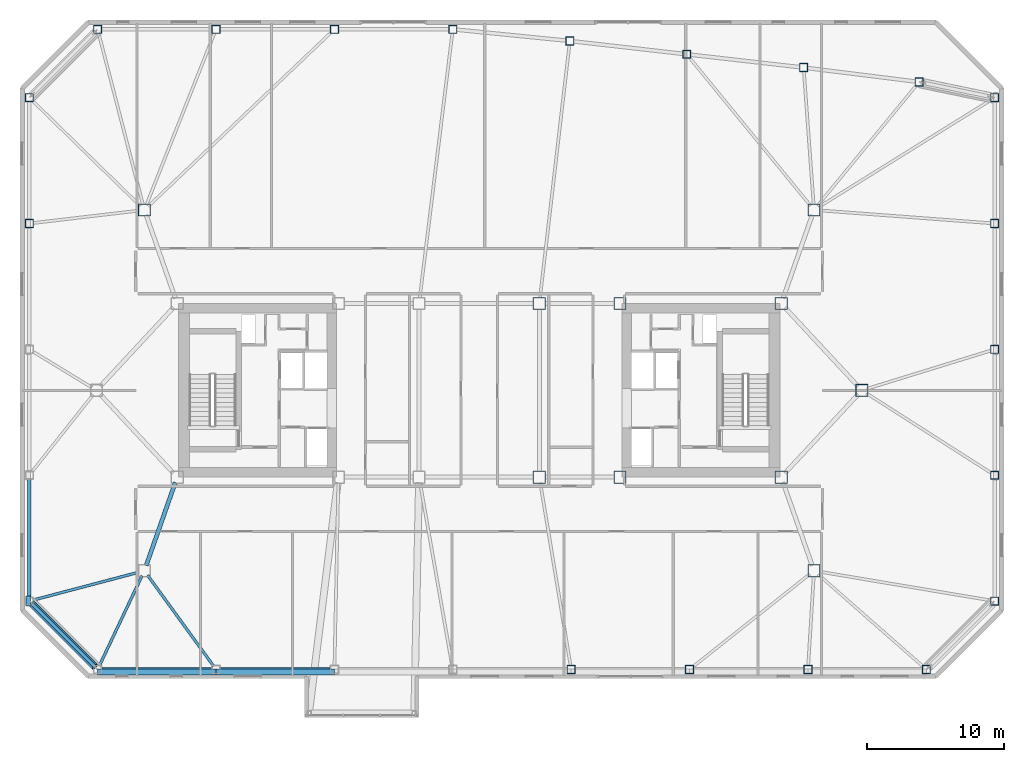
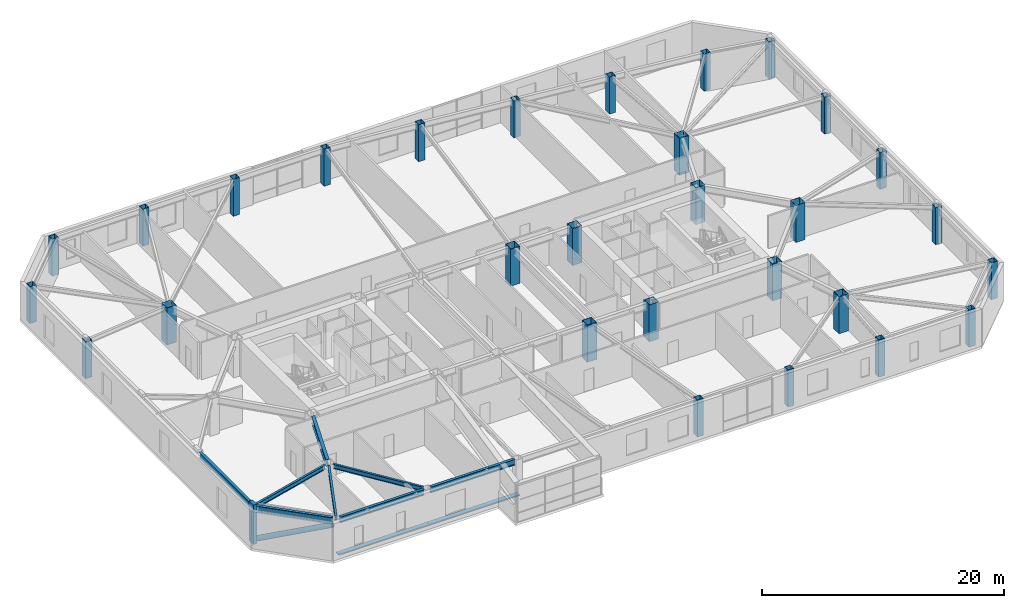
# One storey, part 2 of 19: 29 columns, 8 beams, 4 members.
"""IFC4 building model written with IfcOpenShell, lengths in metres."""

import ifcopenshell
import ifcopenshell.guid

model = None  # the IFC model being written
_history = None  # IfcOwnerHistory: only IFC2X3 demands one
_inside = {}  # id of a spatial element -> (the spatial element, [elements in it])
_under = {}  # id of a project, library or spatial element -> (it, [spatial elements below it])
_declared = {}  # id of a project -> (the project, [libraries it declares])
_typed = {}  # id of a type object -> (the type object, [elements of that type])
_made_of = {}  # id of a material, layer set ... -> (it, [elements and type objects made of it])


def new_model(schema):
    """Start an empty IFC model of exactly this schema.

    Asked for "IFC4X3", IfcOpenShell would pick the latest addendum, in which some entities
    have other attributes; the version numbers below select the first issue.
    IFC2X3 requires an IfcOwnerHistory on every rooted entity: one is made here for all.
    """
    global model, _history
    if schema == "IFC4X3":
        model = ifcopenshell.file(schema_version=(4, 3, 0, 0))
    else:
        model = ifcopenshell.file(schema=schema)
    _inside.clear()
    _under.clear()
    _declared.clear()
    _typed.clear()
    _made_of.clear()
    _history = None
    if model.schema == "IFC2X3":
        org = make("IfcOrganization", Name="unknown")
        user = make(
            "IfcPersonAndOrganization",
            ThePerson=make("IfcPerson", FamilyName="unknown"),
            TheOrganization=org,
        )
        app = make(
            "IfcApplication",
            ApplicationDeveloper=org,
            Version="unknown",
            ApplicationFullName="unknown",
            ApplicationIdentifier="unknown",
        )
        _history = make(
            "IfcOwnerHistory",
            OwningUser=user,
            OwningApplication=app,
            ChangeAction="ADDED",
            CreationDate=0,
        )
    return model


def make(cls, **values):
    """One entity of the class cls with the attributes given. An attribute that is None is left unset."""
    return model.create_entity(
        cls, **{name: value for name, value in values.items() if value is not None}
    )


def rooted(cls, **values):
    """An entity with a GlobalId (a new one), such as an element, a storey or a relation."""
    return make(cls, GlobalId=ifcopenshell.guid.new(), OwnerHistory=_history, **values)


def si_unit(unit_type, name, prefix=None):
    """IfcSIUnit, for example si_unit("LENGTHUNIT", "METRE", prefix="MILLI")."""
    return make("IfcSIUnit", UnitType=unit_type, Prefix=prefix, Name=name)


def assignment(units):
    """IfcUnitAssignment: the units of a project."""
    return None if units is None else make("IfcUnitAssignment", Units=units)


def point(xyz):
    """IfcCartesianPoint."""
    return None if xyz is None else make("IfcCartesianPoint", Coordinates=xyz)


def direction(xyz):
    """IfcDirection."""
    return None if xyz is None else make("IfcDirection", DirectionRatios=xyz)


def frame(location, z_axis=None, x_axis=None):
    """IfcAxis2Placement3D, a coordinate frame: its origin and axes. An axis left out is left unset."""
    return make(
        "IfcAxis2Placement3D",
        Location=point(location),
        Axis=direction(z_axis),
        RefDirection=direction(x_axis),
    )


def frame_2d(location, x_axis=None):
    """IfcAxis2Placement2D, a coordinate frame in the plane: its origin and x axis."""
    return make(
        "IfcAxis2Placement2D", Location=point(location), RefDirection=direction(x_axis)
    )


def origin():
    """The frame at (0, 0, 0) with its axes left unset."""
    return frame((0.0, 0.0, 0.0))


def origin_2d():
    """The frame at (0, 0) in the plane with its x axis left unset."""
    return frame_2d((0.0, 0.0))


def place(relative_to, where):
    """IfcLocalPlacement: puts the frame where relative to a parent placement (None: the world)."""
    return make(
        "IfcLocalPlacement", PlacementRelTo=relative_to, RelativePlacement=where
    )


def context(
    kind, dimensions, precision=None, world=None, true_north=None, identifier=None
):
    """IfcGeometricRepresentationContext, for example the 3D "Model" context."""
    return make(
        "IfcGeometricRepresentationContext",
        ContextIdentifier=identifier,
        ContextType=kind,
        CoordinateSpaceDimension=dimensions,
        Precision=precision,
        WorldCoordinateSystem=world,
        TrueNorth=true_north,
    )


def subcontext(parent, identifier, kind, view, scale=None):
    """IfcGeometricRepresentationSubContext, for example "Body" below "Model"."""
    return make(
        "IfcGeometricRepresentationSubContext",
        ContextIdentifier=identifier,
        ContextType=kind,
        ParentContext=parent,
        TargetScale=scale,
        TargetView=view,
    )


def project(units=None, contexts=None):
    """IfcProject with its units and contexts."""
    return rooted(
        "IfcProject",
        Name="project",
        RepresentationContexts=contexts,
        UnitsInContext=assignment(units),
    )


def spatial(cls, under=None, at=None, **own):
    """A site, building, storey or space (cls), placed at a placement, below another one or the project."""
    s = rooted(cls, ObjectPlacement=at, **own)
    if under is not None:
        _under.setdefault(under.id(), (under, []))[1].append(s)
    return s


def profile(cls, at=None, kind="AREA", **sizes):
    """A parametric profile (cls). Its sizes go by their IFC names, for example OverallWidth=200.0."""
    return make(cls, ProfileType=kind, Position=at, **sizes)


def rectangle(**sizes):
    """IfcRectangleProfileDef."""
    return profile("IfcRectangleProfileDef", **sizes)


def hollow_rectangle(**sizes):
    """IfcRectangleHollowProfileDef."""
    return profile("IfcRectangleHollowProfileDef", **sizes)


def hollow_circle(**sizes):
    """IfcCircleHollowProfileDef."""
    return profile("IfcCircleHollowProfileDef", **sizes)


def i_section(**sizes):
    """IfcIShapeProfileDef."""
    return profile("IfcIShapeProfileDef", **sizes)


def extrude(swept, where, along, depth):
    """IfcExtrudedAreaSolid: the profile swept, set in the frame where, extruded along a direction by depth."""
    return make(
        "IfcExtrudedAreaSolid",
        SweptArea=swept,
        Position=where,
        ExtrudedDirection=direction(along),
        Depth=depth,
    )


def shape(context_of_items, identifier, shape_type, items):
    """IfcShapeRepresentation: the items that make up one representation, for example the "Body"."""
    return make(
        "IfcShapeRepresentation",
        ContextOfItems=context_of_items,
        RepresentationIdentifier=identifier,
        RepresentationType=shape_type,
        Items=items,
    )


def material(Name=None, Category=None):
    """IfcMaterial."""
    return make("IfcMaterial", Name=Name, Category=Category)


def material_profile(
    of_material, cross_section, Name=None, Category=None, Priority=None
):
    """IfcMaterialProfile: a cross section and its material."""
    return make(
        "IfcMaterialProfile",
        Name=Name,
        Material=of_material,
        Profile=cross_section,
        Priority=Priority,
        Category=Category,
    )


def profile_set(profiles, Name=None, composite=None):
    """IfcMaterialProfileSet."""
    return make(
        "IfcMaterialProfileSet",
        Name=Name,
        MaterialProfiles=profiles,
        CompositeProfile=composite,
    )


def made_of(thing, what):
    """Note that an element or type object is made of a material, layer set ...; save() writes the relation."""
    if what is not None:
        _made_of.setdefault(what.id(), (what, []))[1].append(thing)
    return thing


def type_object(cls, material=None, **own):
    """A type object (cls), such as IfcWallType, which elements share."""
    return made_of(rooted(cls, **own), material)


def element(
    cls,
    number,
    at=None,
    inside=None,
    cuts=None,
    type_object=None,
    material=None,
    context=None,
    identifier="Body",
    shape_type=None,
    held_by="IfcProductDefinitionShape",
    body=None,
    shapes=None,
    **own,
):
    """One element of the class cls, such as IfcWall. Its Tag is "e" and its number.

    at: its placement. inside: the storey or other place that contains it. cuts: it is an
    opening in that element (IfcRelVoidsElement). A single representation is given by context,
    identifier, shape_type and body (its items); several are given by shapes. held_by: the class
    of the entity that holds the representations. save() writes the other relations.
    """
    e = rooted(cls, Tag="e%d" % number, ObjectPlacement=at, **own)
    if body is not None:
        shapes = [shape(context, identifier, shape_type, body)]
    if shapes is not None:
        e.Representation = make(held_by, Representations=shapes)
    if inside is not None:
        _inside.setdefault(inside.id(), (inside, []))[1].append(e)
    if cuts is not None:
        rooted(
            "IfcRelVoidsElement", RelatingBuildingElement=cuts, RelatedOpeningElement=e
        )
    if type_object is not None:
        _typed.setdefault(type_object.id(), (type_object, []))[1].append(e)
    return made_of(e, material)


def aggregate(whole, parts):
    """IfcRelAggregates: a whole, such as a stair, and the parts it consists of."""
    return rooted("IfcRelAggregates", RelatingObject=whole, RelatedObjects=parts)


def save(model, path):
    """Write the relations noted so far, then the file.

    IfcRelAggregates (storeys below a building ...), IfcRelContainedInSpatialStructure (elements
    in a storey), IfcRelDefinesByType, IfcRelAssociatesMaterial and IfcRelDeclares: one each for
    every whole, place, type object, material and project.
    """
    for whole, parts in _under.values():
        aggregate(whole, parts)
    for where, things in _inside.values():
        rooted(
            "IfcRelContainedInSpatialStructure",
            RelatedElements=things,
            RelatingStructure=where,
        )
    for kind, things in _typed.values():
        rooted("IfcRelDefinesByType", RelatedObjects=things, RelatingType=kind)
    for what, things in _made_of.values():
        rooted("IfcRelAssociatesMaterial", RelatedObjects=things, RelatingMaterial=what)
    for by, libraries in _declared.values():
        rooted("IfcRelDeclares", RelatingContext=by, RelatedDefinitions=libraries)
    model.write(path)


model = new_model("IFC4")

# Units and contexts
model_context = context("Model", 3, precision=1e-05, world=origin(), true_north=direction((0.0, 1.0)))
body_context = subcontext(model_context, "Body", "Model", "MODEL_VIEW")
ifc_project = project(units=[si_unit("LENGTHUNIT", "METRE"), si_unit("AREAUNIT", "SQUARE_METRE"), si_unit("VOLUMEUNIT", "CUBIC_METRE"), si_unit("PLANEANGLEUNIT", "RADIAN"), si_unit("MASSUNIT", "GRAM", prefix="KILO")], contexts=[model_context])

# Site, building, storey
site_placement = place(None, origin())
site = spatial("IfcSite", under=ifc_project, at=site_placement, CompositionType="ELEMENT")
building_placement = place(site_placement, origin())
building = spatial("IfcBuilding", under=site, at=building_placement, Name="Tavrogorsk Clinical Tower", CompositionType="ELEMENT")
storey_placement = place(building_placement, frame((0.0, 0.0, 156.199951171875)))
storey = spatial("IfcBuildingStorey", under=building, at=storey_placement, Name="L35", CompositionType="ELEMENT", Elevation=156.199951171875)

# Columns
ifc_material_1 = material(Name="Structural steel S440", Category="steel")
ifc_material_profile_1 = material_profile(ifc_material_1, hollow_rectangle(XDim=0.89990234375, YDim=0.89990234375, WallThickness=0.0400390625, at=origin_2d()), Name="BOX-900x900x40")
ifc_profile_set_1 = profile_set([ifc_material_profile_1], Name="Structural steel S440")
column_type_1 = type_object("IfcColumnType", Name="MegaCol_BOX900", PredefinedType="COLUMN", material=ifc_profile_set_1)
for number, where, z_axis, x_axis, name in (
    (1, (10.300048828125, -6.35009765625, 0.0), (0.0, 0.0, 1.0), (1.0, 0.0, 0.0), "L35 Mega Column MC-E1"),
    (2, (10.300048828125, 6.35009765625, 0.0), (0.0, 0.0, 1.0), (1.0, 0.0, 0.0), "L35 Mega Column MC-E2"),
    (3, (22.10009765625, -6.35009765625, 0.0), (0.0, 0.0, 1.0), (1.0, 0.0, 0.0), "L35 Mega Column MC-E3"),
    (4, (22.10009765625, 6.35009765625, 0.0), (0.0, 0.0, 1.0), (1.0, 0.0, 0.0), "L35 Mega Column MC-E4"),
    (5, (4.39990234375, -6.35009765625, 0.0), (0.0, 0.0, 1.0), (1.0, 0.0, 0.0), "L35 Mega Column MC-C2"),
    (6, (4.39990234375, 6.35009765625, 0.0), (0.0, 0.0, 1.0), (1.0, 0.0, 0.0), "L35 Mega Column MC-C4"),
    (7, (24.5, -13.199951171875, 0.0), (0.0, 0.0, 1.0), (1.0, 0.0, 0.0), "L35 Spine Pilotis Column MC-P2"),
    (8, (-24.5, 13.199951171875, 0.0), (0.0, 0.0, 1.0), (1.0, 0.0, 0.0), "L35 Spine Pilotis Column MC-P3"),
    (9, (24.5, 13.199951171875, 0.0), (0.0, 0.0, 1.0), (1.0, 0.0, 0.0), "L35 Spine Pilotis Column MC-P4"),
    (10, (28.0, 0.0, 0.0), (0.0, 0.0, 1.0), (1.0, 0.0, 0.0), "L35 Spine Pilotis Column MC-P6"),
):
    element("IfcColumn", number, at=place(storey_placement, frame(where, z_axis=z_axis, x_axis=x_axis)), inside=storey, type_object=column_type_1, Name=name, PredefinedType="COLUMN", context=body_context, shape_type="SweptSolid", body=[
        extrude(hollow_rectangle(XDim=0.89990234375, YDim=0.89990234375, WallThickness=0.0400390625, at=origin_2d()), origin(), (0.0, 0.0, 1.0), 3.739990234375),
    ])
ifc_material_2 = material(Name="Structural steel S440", Category="steel")
ifc_material_profile_2 = material_profile(ifc_material_2, hollow_rectangle(XDim=0.60009765625, YDim=0.60009765625, WallThickness=0.028076171875, at=origin_2d()), Name="BOX-600x600x28")
ifc_profile_set_2 = profile_set([ifc_material_profile_2], Name="Structural steel S440")
column_type_2 = type_object("IfcColumnType", Name="PerimCol_B3_BOX600", PredefinedType="COLUMN", material=ifc_profile_set_2)
for number, where, z_axis, x_axis, name in (
    (11, (6.7314453125, -20.419921875, 0.0), (0.0, 0.0, 1.0), (1.0, 0.0, 0.0), "L35 Perimeter Column S5"),
    (12, (15.394287109375, -20.419921875, 0.0), (0.0, 0.0, 1.0), (1.0, 0.0, 0.0), "L35 Perimeter Column S6"),
    (13, (24.05712890625, -20.419921875, 0.0), (0.0, 0.0, 1.0), (1.0, 0.0, 0.0), "L35 Perimeter Column S7"),
    (14, (32.719970703125, -20.419921875, 0.0), (0.0, 0.0, 1.0), (1.0, 0.0, 0.0), "L35 Perimeter Column S8"),
    (15, (32.19140625, 22.56591796875, 0.0), (0.0, 0.0, 1.0), (1.0, 0.0, 0.0), "L35 Perimeter Column N1"),
    (16, (23.73779296875, 23.617919921875, 0.0), (0.0, 0.0, 1.0), (1.0, 0.0, 0.0), "L35 Perimeter Column N2"),
    (17, (15.18603515625, 24.59228515625, 0.0), (0.0, 0.0, 1.0), (1.0, 0.0, 0.0), "L35 Perimeter Column N3"),
    (18, (6.63427734375, 25.566650390625, 0.0), (0.0, 0.0, 1.0), (1.0, 0.0, 0.0), "L35 Perimeter Column N4"),
    (19, (-1.931396484375, 26.419921875, 0.0), (0.0, 0.0, 1.0), (1.0, 0.0, 0.0), "L35 Perimeter Column N5"),
    (20, (-10.59423828125, 26.419921875, 0.0), (0.0, 0.0, 1.0), (1.0, 0.0, 0.0), "L35 Perimeter Column N6"),
    (21, (-19.257080078125, 26.419921875, 0.0), (0.0, 0.0, 1.0), (1.0, 0.0, 0.0), "L35 Perimeter Column N7"),
    (22, (-27.919921875, 26.419921875, 0.0), (0.0, 0.0, 1.0), (1.0, 0.0, 0.0), "L35 Perimeter Column N8"),
    (23, (37.719970703125, -15.419921875, 0.0), (0.0, 0.0, 1.0), (1.0, 0.0, 0.0), "L35 Perimeter Column E1"),
    (24, (37.719970703125, -6.2099609375, 0.0), (0.0, 0.0, 1.0), (1.0, 0.0, 0.0), "L35 Perimeter Column E2"),
    (25, (37.719970703125, 3.0, 0.0), (0.0, 0.0, 1.0), (1.0, 0.0, 0.0), "L35 Perimeter Column E3"),
    (26, (37.719970703125, 12.2099609375, 0.0), (0.0, 0.0, 1.0), (1.0, 0.0, 0.0), "L35 Perimeter Column E4"),
    (27, (37.719970703125, 21.419921875, 0.0), (0.0, 0.0, 1.0), (1.0, 0.0, 0.0), "L35 Perimeter Column E5"),
    (28, (-32.919921875, 21.419921875, 0.0), (0.0, 0.0, 1.0), (1.0, 0.0, 0.0), "L35 Perimeter Column W1"),
    (29, (-32.919921875, 12.2099609375, 0.0), (0.0, 0.0, 1.0), (1.0, 0.0, 0.0), "L35 Perimeter Column W2"),
):
    element("IfcColumn", number, at=place(storey_placement, frame(where, z_axis=z_axis, x_axis=x_axis)), inside=storey, type_object=column_type_2, Name=name, PredefinedType="COLUMN", context=body_context, shape_type="SweptSolid", body=[
        extrude(hollow_rectangle(XDim=0.60009765625, YDim=0.60009765625, WallThickness=0.028076171875, at=origin_2d()), origin(), (0.0, 0.0, 1.0), 3.739990234375),
    ])

# Members
ifc_material_3 = material(Name="Anodised aluminium alloy AW-6063", Category="aluminium")
ifc_material_profile_3 = material_profile(ifc_material_3, rectangle(XDim=0.449951171875, YDim=0.1201171875, at=origin_2d()), Name="ALU-SUNSHADE-450x120")
ifc_profile_set_3 = profile_set([ifc_material_profile_3], Name="Anodised aluminium alloy AW-6063")
member_type_1 = type_object("IfcMemberType", Name="ChicagoSunshade_450x120", PredefinedType="USERDEFINED", material=ifc_profile_set_3)
for number, where, z_axis, x_axis, name in (
    (30, (-27.919921875, -20.60009765625, 0.179931640625), (1.0, 0.0, 0.0), (0.0, 1.0, 0.0), "L35 South Aluminium Sunshade S1"),
    (31, (-19.257080078125, -20.60009765625, 0.179931640625), (1.0, 0.0, 0.0), (0.0, 1.0, 0.0), "L35 South Aluminium Sunshade S2"),
):
    element("IfcMember", number, at=place(storey_placement, frame(where, z_axis=z_axis, x_axis=x_axis)), inside=storey, type_object=member_type_1, Name=name, ObjectType="SUNSHADE", PredefinedType="USERDEFINED", context=body_context, shape_type="SweptSolid", body=[
        extrude(rectangle(XDim=0.449951171875, YDim=0.1201171875, at=origin_2d()), origin(), (0.0, 0.0, 1.0), 8.662841796875),
    ])
ifc_material_4 = material(Name="Structural steel S440", Category="steel")
ifc_material_profile_4 = material_profile(ifc_material_4, hollow_circle(Radius=0.25390625, WallThickness=0.02001953125, at=origin_2d()), Name="CHS-508x20")
ifc_profile_set_4 = profile_set([ifc_material_profile_4], Name="Structural steel S440")
member_type_2 = type_object("IfcMemberType", Name="ExoBrace_CHS508", PredefinedType="BRACE", material=ifc_profile_set_4)
member_1_placement = place(storey_placement, frame((-32.717529296875, -15.62255859375, 0.4130859375), z_axis=(0.657758524103, -0.657758524103, 0.367025132572), x_axis=(0.707106781187, 0.707106781187, 0.0)))
element("IfcMember", 32, at=member_1_placement, inside=storey, type_object=member_type_2, Name="L35 Corner Exoskeleton Brace W5-S1", PredefinedType="BRACE", context=body_context, shape_type="SweptSolid", body=[
    extrude(hollow_circle(Radius=0.25390625, WallThickness=0.02001953125, at=origin_2d()), origin(), (0.0, 0.0, 1.0), 6.98583984375),
])

# Beams
ifc_material_5 = material(Name="Structural steel S355", Category="steel")
ifc_material_profile_5 = material_profile(ifc_material_5, i_section(OverallWidth=0.199951171875, OverallDepth=0.449951171875, WebThickness=0.011474609375, FlangeThickness=0.01806640625, at=origin_2d()), Name="B-450x200x11.5x18")
ifc_profile_set_5 = profile_set([ifc_material_profile_5], Name="Structural steel S355")
beam_type_1 = type_object("IfcBeamType", Name="FloorBeam_B450", PredefinedType="BEAM", material=ifc_profile_set_5)
beam_1_placement = place(storey_placement, frame((-24.675537109375, -13.570556640625, 3.51513671875), z_axis=(-0.42808057121, -0.903740573701, 0.0), x_axis=(0.903740573701, -0.42808057121, 0.0)))
element("IfcBeam", 33, at=beam_1_placement, inside=storey, type_object=beam_type_1, Name="L35 Radial Floor Beam S1", PredefinedType="BEAM", context=body_context, shape_type="SweptSolid", body=[
    extrude(i_section(OverallWidth=0.199951171875, OverallDepth=0.449951171875, WebThickness=0.011474609375, FlangeThickness=0.01806640625, at=origin_2d()), origin(), (0.0, 0.0, 1.0), 7.27099609375),
])
beam_2_placement = place(storey_placement, frame((-24.259033203125, -13.53173828125, 3.51513671875), z_axis=(0.587578845372, -0.809166917559, 0.0), x_axis=(0.809166917559, 0.587578845372, 0.0)))
element("IfcBeam", 34, at=beam_2_placement, inside=storey, type_object=beam_type_1, Name="L35 Radial Floor Beam S2", PredefinedType="BEAM", context=body_context, shape_type="SweptSolid", body=[
    extrude(i_section(OverallWidth=0.199951171875, OverallDepth=0.449951171875, WebThickness=0.011474609375, FlangeThickness=0.01806640625, at=origin_2d()), origin(), (0.0, 0.0, 1.0), 8.204833984375),
])
beam_3_placement = place(storey_placement, frame((-24.896484375, -13.304443359375, 3.51513671875), z_axis=(-0.966949342117, -0.254968566257, 0.0), x_axis=(0.254968566257, -0.966949342117, 0.0)))
element("IfcBeam", 35, at=beam_3_placement, inside=storey, type_object=beam_type_1, Name="L35 Radial Floor Beam W5", PredefinedType="BEAM", context=body_context, shape_type="SweptSolid", body=[
    extrude(i_section(OverallWidth=0.199951171875, OverallDepth=0.449951171875, WebThickness=0.011474609375, FlangeThickness=0.01806640625, at=origin_2d()), origin(), (0.0, 0.0, 1.0), 7.98974609375),
])

# Member
ifc_material_6 = material(Name="Precast concrete B45 with limestone cladding", Category="masonry")
ifc_material_profile_6 = material_profile(ifc_material_6, rectangle(XDim=0.320068359375, YDim=0.719970703125, at=origin_2d()), Name="LIMESTONE-FIN-320x720")
ifc_profile_set_6 = profile_set([ifc_material_profile_6], Name="Precast concrete B45 with limestone cladding")
member_type_3 = type_object("IfcMemberType", Name="LimestonePleatFin_320x720", PredefinedType="USERDEFINED", material=ifc_profile_set_6)
member_2_placement = place(storey_placement, frame((-33.0, -15.419921875, 0.0), z_axis=(0.0, 0.0, 1.0), x_axis=(1.0, 0.0, 0.0)))
element("IfcMember", 36, at=member_2_placement, inside=storey, type_object=member_type_3, Name="L35 W Pleated Stone Fin 4", ObjectType="FIN", PredefinedType="USERDEFINED", context=body_context, shape_type="SweptSolid", body=[
    extrude(rectangle(XDim=0.320068359375, YDim=0.719970703125, at=origin_2d()), origin(), (0.0, 0.0, 1.0), 4.0),
])

# Beams
ifc_material_7 = material(Name="Structural steel S390", Category="steel")
ifc_material_profile_7 = material_profile(ifc_material_7, i_section(OverallWidth=0.300048828125, OverallDepth=0.699951171875, WebThickness=0.01708984375, FlangeThickness=0.028076171875, at=origin_2d()), Name="B-700x300x17x28")
ifc_profile_set_7 = profile_set([ifc_material_profile_7], Name="Structural steel S390")
beam_type_2 = type_object("IfcBeamType", Name="PrimaryGirder_B700", PredefinedType="USERDEFINED", material=ifc_profile_set_7)
beam_4_placement = place(storey_placement, frame((-24.364501953125, -12.81298828125, 3.39013671875), z_axis=(0.330673031392, 0.94374538214, 0.0), x_axis=(-0.94374538214, 0.330673031392, 0.0)))
element("IfcBeam", 37, at=beam_4_placement, inside=storey, type_object=beam_type_2, Name="L35 Spine Link Girder OPG-1", ObjectType="GIRDER", PredefinedType="USERDEFINED", context=body_context, shape_type="SweptSolid", body=[
    extrude(i_section(OverallWidth=0.300048828125, OverallDepth=0.699951171875, WebThickness=0.01708984375, FlangeThickness=0.028076171875, at=origin_2d()), origin(), (0.0, 0.0, 1.0), 6.43798828125),
])
ifc_material_8 = material(Name="Structural steel S390", Category="steel")
ifc_material_profile_8 = material_profile(ifc_material_8, i_section(OverallWidth=0.260009765625, OverallDepth=0.60009765625, WebThickness=0.014892578125, FlangeThickness=0.02392578125, at=origin_2d()), Name="B-600x260x15x24")
ifc_profile_set_8 = profile_set([ifc_material_profile_8], Name="Structural steel S390")
beam_type_3 = type_object("IfcBeamType", Name="SpandrelBeam_B600", PredefinedType="SPANDREL", material=ifc_profile_set_8)
for number, where, z_axis, x_axis, name in (
    (38, (-27.612060546875, -20.419921875, 3.43994140625), (1.0, 0.0, 0.0), (0.0, 1.0, 0.0), "L35 Perimeter Spandrel S1-S2"),
    (39, (-18.94921875, -20.419921875, 3.43994140625), (1.0, 0.0, 0.0), (0.0, 1.0, 0.0), "L35 Perimeter Spandrel S2-S3"),
):
    element("IfcBeam", number, at=place(storey_placement, frame(where, z_axis=z_axis, x_axis=x_axis)), inside=storey, type_object=beam_type_3, Name=name, PredefinedType="SPANDREL", context=body_context, shape_type="SweptSolid", body=[
        extrude(i_section(OverallWidth=0.260009765625, OverallDepth=0.60009765625, WebThickness=0.014892578125, FlangeThickness=0.02392578125, at=origin_2d()), origin(), (0.0, 0.0, 1.0), 8.046875),
    ])
beam_5_placement = place(storey_placement, frame((-32.919921875, -6.51806640625, 3.43994140625), z_axis=(0.0, -1.0, 0.0), x_axis=(1.0, 0.0, 0.0)))
element("IfcBeam", 40, at=beam_5_placement, inside=storey, type_object=beam_type_3, Name="L35 Perimeter Spandrel W4-W5", PredefinedType="SPANDREL", context=body_context, shape_type="SweptSolid", body=[
    extrude(i_section(OverallWidth=0.260009765625, OverallDepth=0.60009765625, WebThickness=0.014892578125, FlangeThickness=0.02392578125, at=origin_2d()), origin(), (0.0, 0.0, 1.0), 8.593994140625),
])
beam_6_placement = place(storey_placement, frame((-32.7021484375, -15.6376953125, 3.43994140625), z_axis=(0.707106781187, -0.707106781187, 0.0), x_axis=(0.707106781187, 0.707106781187, 0.0)))
element("IfcBeam", 41, at=beam_6_placement, inside=storey, type_object=beam_type_3, Name="L35 Perimeter Spandrel W5-S1", PredefinedType="SPANDREL", context=body_context, shape_type="SweptSolid", body=[
    extrude(i_section(OverallWidth=0.260009765625, OverallDepth=0.60009765625, WebThickness=0.014892578125, FlangeThickness=0.02392578125, at=origin_2d()), origin(), (0.0, 0.0, 1.0), 6.455078125),
])

save(model, "model.ifc")
